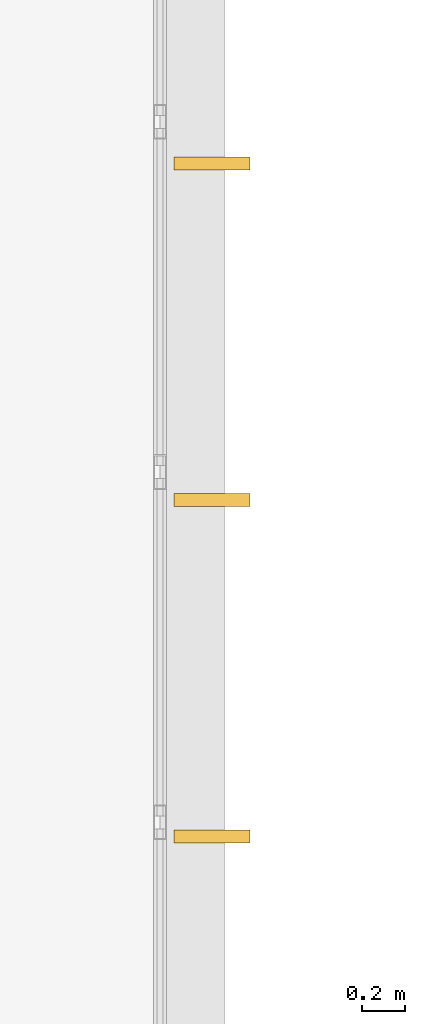
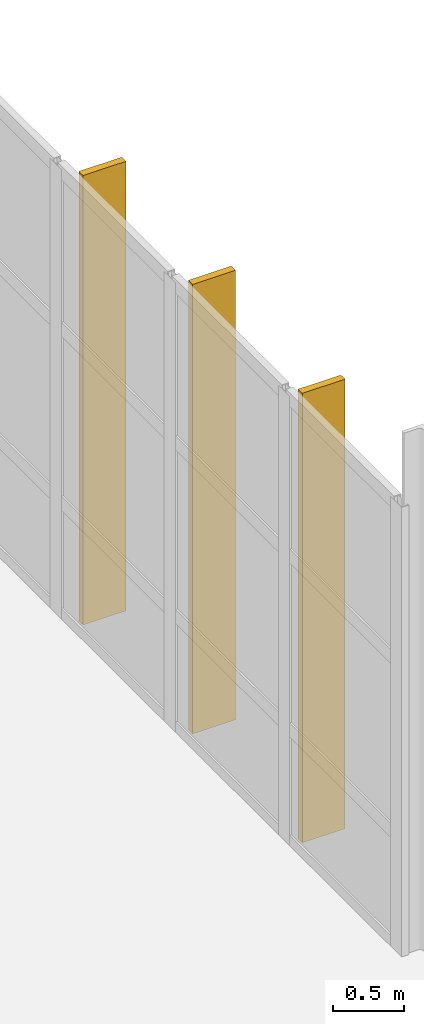
# One storey, part 113 of 113: 3 shading devices.
"""IFC4 building model written with IfcOpenShell, lengths in metres."""

from ifc_helpers import new_model, si_unit, direction, frame, origin, origin_2d, place, context, subcontext, project, spatial, rectangle, extrude, material, type_object, element, save


model = new_model("IFC4")

# Units and contexts
model_context = context("Model", 3, precision=1e-05, world=origin(), true_north=direction((0.0, 1.0)))
body_context = subcontext(model_context, "Body", "Model", "MODEL_VIEW")
ifc_project = project(units=[si_unit("LENGTHUNIT", "METRE"), si_unit("AREAUNIT", "SQUARE_METRE"), si_unit("VOLUMEUNIT", "CUBIC_METRE"), si_unit("PLANEANGLEUNIT", "RADIAN"), si_unit("MASSUNIT", "GRAM", prefix="KILO")], contexts=[model_context])

# Site, building, storey
site_placement = place(None, origin())
site = spatial("IfcSite", under=ifc_project, at=site_placement, CompositionType="ELEMENT")
building_placement = place(site_placement, origin())
building = spatial("IfcBuilding", under=site, at=building_placement, Name="Veltarok Museum of Natural Sciences", CompositionType="ELEMENT")
storey_placement = place(building_placement, frame((0.0, 0.0, 8.39990234375)))
storey = spatial("IfcBuildingStorey", under=building, at=storey_placement, Name="L01", CompositionType="ELEMENT", Elevation=8.39990234375)

# Shading devices
ifc_material = material(Name="Thermally broken anodised aluminium", Category="aluminium")
shading_device_type = type_object("IfcShadingDeviceType", Name="Vertical Anodised Aluminium Solar Shading Fin 350", PredefinedType="JALOUSIE", material=ifc_material)
for number, where, z_axis, x_axis, name in (
    (1, (164.889892578125, 61.89990234375, 0.000244140625), (0.0, 0.0, 1.0), (1.0, 0.0, 0.0), "Solar Shading Fin L01 31"),
    (2, (164.889892578125, 63.449951171875, 0.000244140625), (0.0, 0.0, 1.0), (1.0, 0.0, 0.0), "Solar Shading Fin L01 32"),
    (3, (164.889892578125, 65.0, 0.000244140625), (0.0, 0.0, 1.0), (1.0, 0.0, 0.0), "Solar Shading Fin L01 33"),
):
    element("IfcShadingDevice", number, at=place(storey_placement, frame(where, z_axis=z_axis, x_axis=x_axis)), inside=storey, type_object=shading_device_type, Name=name, PredefinedType="JALOUSIE", context=body_context, shape_type="SweptSolid", body=[
        extrude(rectangle(XDim=0.35009765625, YDim=0.06005859375, at=origin_2d()), origin(), (0.0, 0.0, 1.0), 3.8798828125),
    ])

save(model, "model.ifc")
